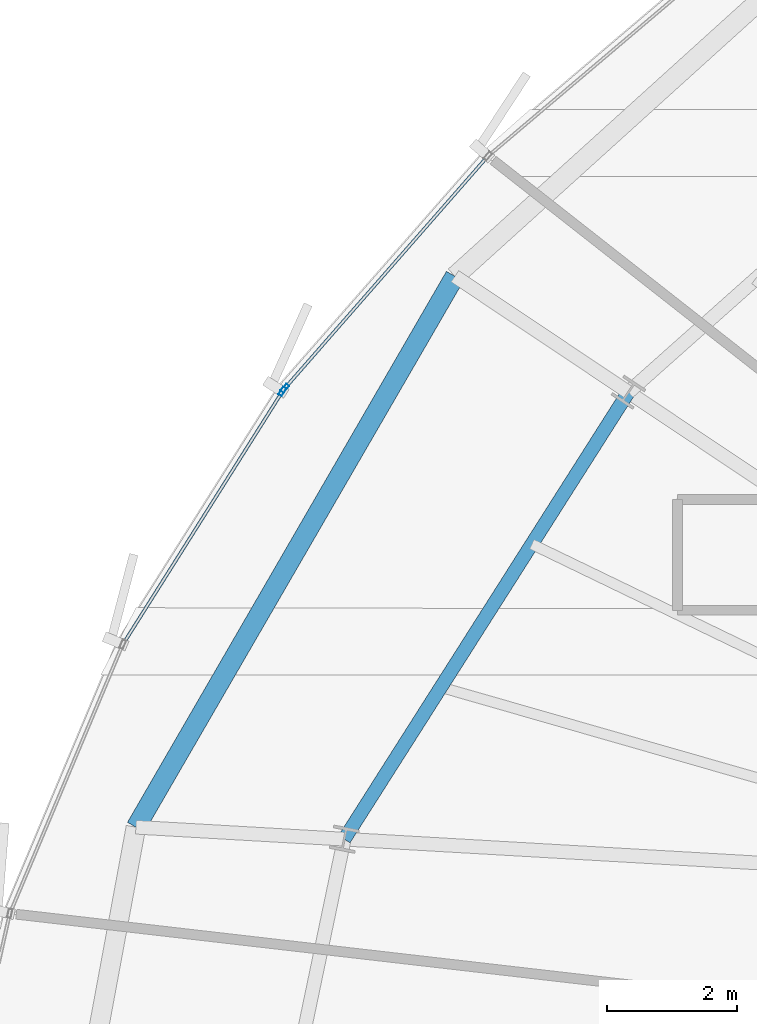
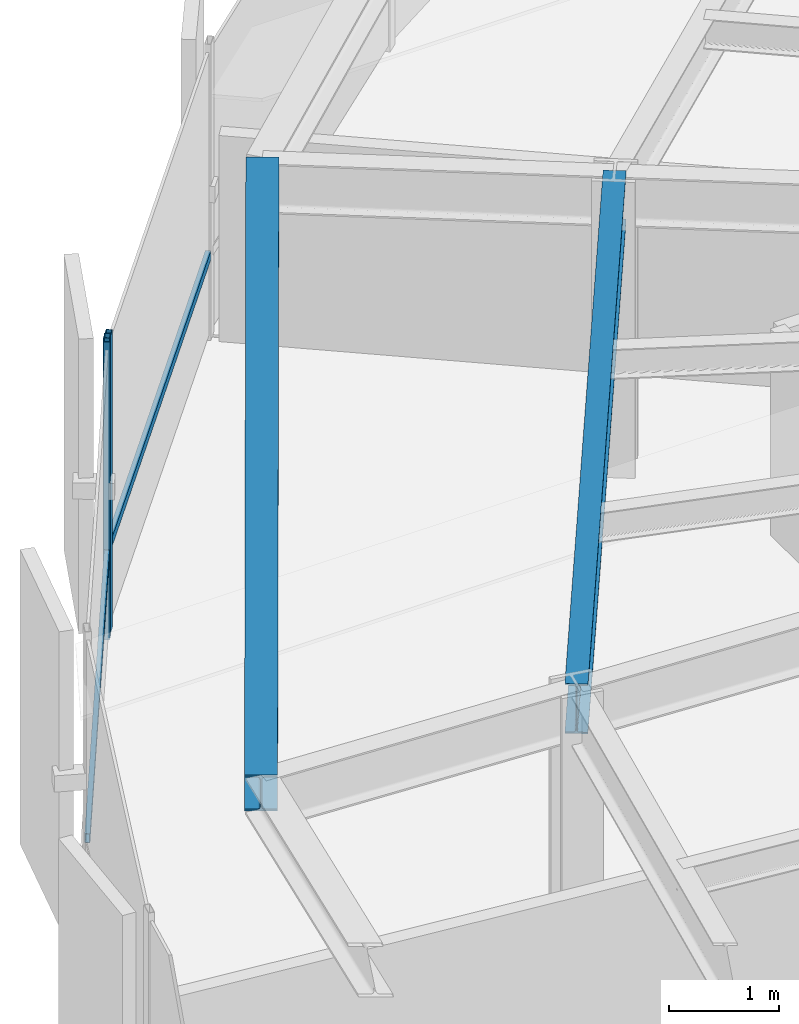
# One storey, part 17 of 35: 4 members, 2 beams, 2 elements without a shape of their own.
"""IFC4 building model written with IfcOpenShell, lengths in metres."""

from ifc_helpers import new_model, si_unit, direction, frame, origin, origin_2d, place, context, subcontext, project, spatial, hollow_rectangle, i_section, extrude, source, transform, mapped, material, layer, layer_set, material_profile, profile_set, type_object, element, aggregate, save


model = new_model("IFC4")

# Units and contexts
model_context = context("Model", 3, precision=1e-05, world=origin(), true_north=direction((0.0, 1.0)))
body_context = subcontext(model_context, "Body", "Model", "MODEL_VIEW")
ifc_project = project(units=[si_unit("LENGTHUNIT", "METRE"), si_unit("AREAUNIT", "SQUARE_METRE"), si_unit("VOLUMEUNIT", "CUBIC_METRE"), si_unit("PLANEANGLEUNIT", "RADIAN"), si_unit("MASSUNIT", "GRAM", prefix="KILO"), si_unit("THERMODYNAMICTEMPERATUREUNIT", "KELVIN")], contexts=[model_context])

# Site, building, storey
site_placement = place(None, origin())
site = spatial("IfcSite", under=ifc_project, at=site_placement, CompositionType="ELEMENT")
building_placement = place(site_placement, origin())
building = spatial("IfcBuilding", under=site, at=building_placement, Name="Kethvar Cultural Tower", CompositionType="ELEMENT")
storey_placement = place(building_placement, frame((0.0, 0.0, 146.550048828125)))
storey = spatial("IfcBuildingStorey", under=building, at=storey_placement, Name="L37", CompositionType="ELEMENT", Elevation=146.550048828125)

# Beams
ifc_material_1 = material(Name="Steel S355J2", Category="steel")
ifc_material_profile_1 = material_profile(ifc_material_1, i_section(OverallWidth=0.2099609375, OverallDepth=0.550048828125, WebThickness=0.010986328125, FlangeThickness=0.01708984375, FilletRadius=0.02392578125, at=origin_2d()), Name="Steel S355J2 — IPE550")
ifc_profile_set_1 = profile_set([ifc_material_profile_1], Name="Steel S355J2 — IPE550")
beam_type_1 = type_object("IfcBeamType", Name="BM-IPE550", PredefinedType="BEAM", material=ifc_profile_set_1)
shared_shape_1 = source(origin(), body_context, "Body", "SweptSolid", [
    extrude(i_section(OverallWidth=0.2099609375, OverallDepth=0.550048828125, WebThickness=0.010986328125, FlangeThickness=0.01708984375, FilletRadius=0.02392578125, at=origin_2d()), origin(), (0.0, 0.0, 1.0), 8.122314453125),
])
beam_1_placement = place(storey_placement, frame((30.345947265625, 38.794189453125, 3.02294921875), z_axis=(-0.536478664647, -0.843913883272, 0.0), x_axis=(0.843913883272, -0.536478664647, 0.0)))
element("IfcBeam", 1, at=beam_1_placement, inside=storey, type_object=beam_type_1, Name="L37 Column Ring Tie Beam CR-07", PredefinedType="BEAM", context=body_context, shape_type="MappedRepresentation", body=[
    mapped(shared_shape_1, transform((0.0, 0.0, 0.0), scale=1.0)),
])
ifc_material_profile_2 = material_profile(ifc_material_1, i_section(OverallWidth=0.300048828125, OverallDepth=0.39990234375, WebThickness=0.013427734375, FlangeThickness=0.02392578125, FilletRadius=0.027099609375, at=origin_2d()), Name="Steel S355J2 — HEB400")
ifc_profile_set_2 = profile_set([ifc_material_profile_2], Name="Steel S355J2 — HEB400")
beam_type_2 = type_object("IfcBeamType", Name="BM-SP400", PredefinedType="SPANDREL", material=ifc_profile_set_2)
shared_shape_2 = source(origin(), body_context, "Body", "SweptSolid", [
    extrude(i_section(OverallWidth=0.300048828125, OverallDepth=0.39990234375, WebThickness=0.013427734375, FlangeThickness=0.02392578125, FilletRadius=0.027099609375, at=origin_2d()), origin(), (0.0, 0.0, 1.0), 9.762939453125),
])
beam_2_placement = place(storey_placement, frame((27.685302734375, 40.572021484375, 3.097900390625), z_axis=(-0.501043170838, -0.865422290536, 0.0), x_axis=(0.865422290536, -0.501043170838, 0.0)))
element("IfcBeam", 2, at=beam_2_placement, inside=storey, type_object=beam_type_2, Name="L37 Perimeter Spandrel Beam SP-07", PredefinedType="SPANDREL", context=body_context, shape_type="MappedRepresentation", body=[
    mapped(shared_shape_2, transform((0.0, 0.0, 0.0), scale=1.0)),
])

# Curtain wall, member
ifc_material_2 = material(Name="Aluminium 6063-T6", Category="aluminium")
ifc_layer = layer(ifc_material_2, 0.179931640625, Name="Aluminium 6063-T6", Category="aluminium")
ifc_layer_set = layer_set([ifc_layer], Name="Aluminium 6063-T6 (180 mm)")
curtain_wall_type = type_object("IfcCurtainWallType", Name="CW-SYS-04-Z34", PredefinedType="NOTDEFINED", material=ifc_layer_set)
curtain_wall_1_placement = place(storey_placement, origin())
curtain_wall_1 = element("IfcCurtainWall", 3, at=curtain_wall_1_placement, inside=storey, type_object=curtain_wall_type, Name="L37 Curtain Wall Run 02", PredefinedType="NOTDEFINED")
ifc_material_profile_3 = material_profile(ifc_material_2, hollow_rectangle(XDim=0.06005859375, YDim=0.139892578125, WallThickness=0.0048828125, at=origin_2d()), Name="Aluminium 6063-T6 — RHS140x60x5")
ifc_profile_set_3 = profile_set([ifc_material_profile_3], Name="Aluminium 6063-T6 — RHS140x60x5")
member_type_1 = type_object("IfcMemberType", Name="CW-SYS-04-Z34-MUL", PredefinedType="MULLION", material=ifc_profile_set_3)
shared_shape_3 = source(origin(), body_context, "Body", "SweptSolid", [
    extrude(hollow_rectangle(XDim=0.06005859375, YDim=0.139892578125, WallThickness=0.0048828125, at=origin_2d()), origin(), (0.0, 0.0, 1.0), 3.300048828125),
])
member_1_placement = place(storey_placement, frame((25.07666015625, 38.853759765625, 0.0), z_axis=(0.0, 0.0, 1.0), x_axis=(0.752656280648, -0.658413641414, 0.0)))
member_1 = element("IfcMember", 4, at=member_1_placement, type_object=member_type_1, Name="CW-L37-R02 Mullion 7", PredefinedType="MULLION", context=body_context, shape_type="MappedRepresentation", body=[
    mapped(shared_shape_3, transform((0.0, 0.0, 0.0), scale=1.0)),
])

curtain_wall_2_placement = place(storey_placement, origin())
curtain_wall_2 = element("IfcCurtainWall", 5, at=curtain_wall_2_placement, inside=storey, type_object=curtain_wall_type, Name="L37 Curtain Wall Run 03", PredefinedType="NOTDEFINED")
member_2_placement = place(storey_placement, frame((25.040283203125, 38.80517578125, 0.0), z_axis=(0.0, 0.0, 1.0), x_axis=(0.845793008704, -0.533511186788, 0.0)))
member_2 = element("IfcMember", 6, at=member_2_placement, type_object=member_type_1, Name="CW-L37-R03 Mullion 1", PredefinedType="MULLION", context=body_context, shape_type="MappedRepresentation", body=[
    mapped(shared_shape_3, transform((0.0, 0.0, 0.0), scale=1.0)),
])

# Member
ifc_material_profile_4 = material_profile(ifc_material_2, hollow_rectangle(XDim=0.050048828125, YDim=0.10009765625, WallThickness=0.00390625, at=origin_2d()), Name="Aluminium 6063-T6 — RHS100x50x4")
ifc_profile_set_4 = profile_set([ifc_material_profile_4], Name="Aluminium 6063-T6 — RHS100x50x4")
member_type_2 = type_object("IfcMemberType", Name="CW-SYS-04-Z34-TRN", PredefinedType="USERDEFINED", material=ifc_profile_set_4)
shared_shape_4 = source(origin(), body_context, "Body", "SweptSolid", [
    extrude(hollow_rectangle(XDim=0.050048828125, YDim=0.10009765625, WallThickness=0.00390625, at=origin_2d()), origin(), (0.0, 0.0, 1.0), 4.68359375),
])
member_3_placement = place(storey_placement, frame((28.1630859375, 42.382080078125, 0.949951171875), z_axis=(-0.658412343275, -0.752657416241, 0.0), x_axis=(0.752657416241, -0.658412343275, 0.0)))
member_3 = element("IfcMember", 7, at=member_3_placement, type_object=member_type_2, Name="CW-L37-R02 Transom 6", ObjectType="TRANSOM", PredefinedType="USERDEFINED", context=body_context, shape_type="MappedRepresentation", body=[
    mapped(shared_shape_4, transform((0.0, 0.0, 0.0), scale=1.0)),
])

aggregate(curtain_wall_1, [member_1, member_3])

shared_shape_5 = source(origin(), body_context, "Body", "SweptSolid", [
    extrude(hollow_rectangle(XDim=0.050048828125, YDim=0.10009765625, WallThickness=0.00390625, at=origin_2d()), origin(), (0.0, 0.0, 1.0), 4.556884765625),
])
member_4_placement = place(storey_placement, frame((25.0380859375, 38.8017578125, 0.949951171875), z_axis=(-0.53350509999, -0.845796848117, 0.0), x_axis=(0.845796848117, -0.53350509999, 0.0)))
member_4 = element("IfcMember", 8, at=member_4_placement, type_object=member_type_2, Name="CW-L37-R03 Transom 1", ObjectType="TRANSOM", PredefinedType="USERDEFINED", context=body_context, shape_type="MappedRepresentation", body=[
    mapped(shared_shape_5, transform((0.0, 0.0, 0.0), scale=1.0)),
])

aggregate(curtain_wall_2, [member_2, member_4])

save(model, "model.ifc")
